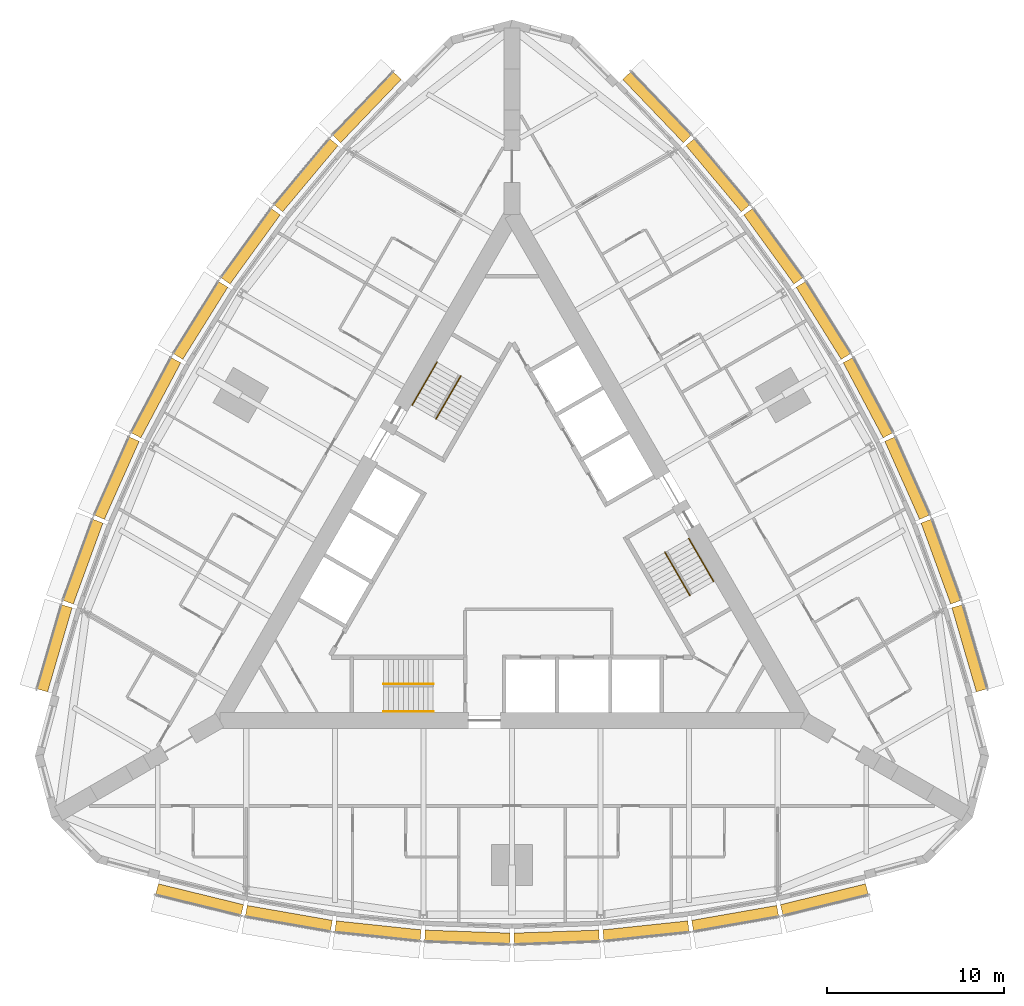
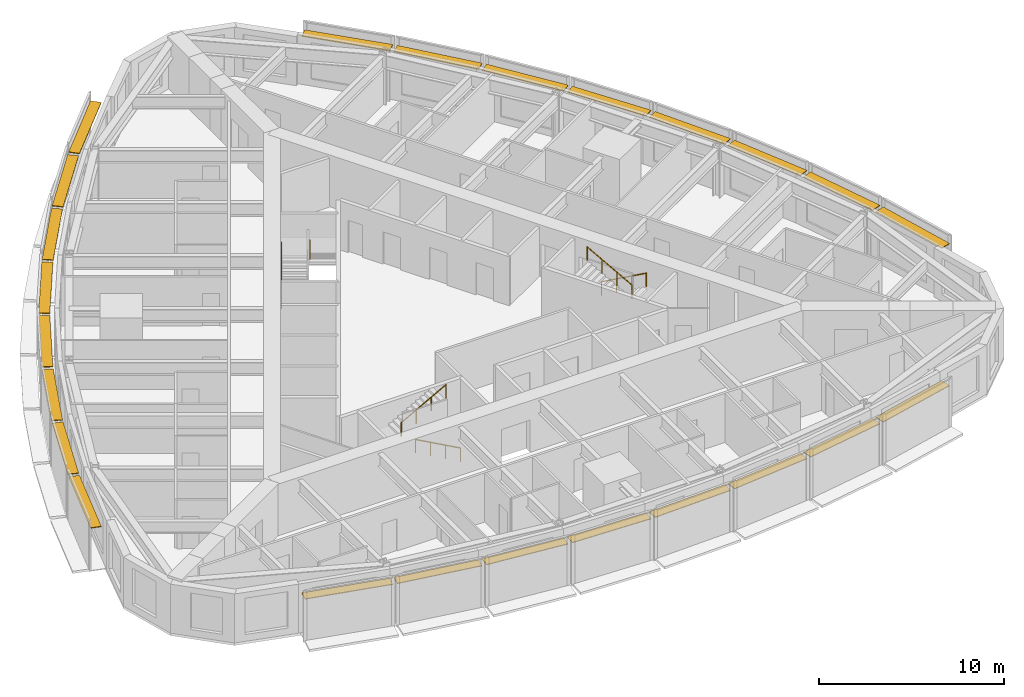
# One storey, part 14 of 14: 24 shading devices, 6 railings.
"""IFC4 building model written with IfcOpenShell, lengths in metres."""

from ifc_helpers import new_model, si_unit, direction, frame, origin, origin_2d, place, context, subcontext, project, spatial, rectangle, circle, extrude, material, type_object, element, save


model = new_model("IFC4")

# Units and contexts
model_context = context("Model", 3, precision=1e-05, world=origin(), true_north=direction((0.0, 1.0)))
body_context = subcontext(model_context, "Body", "Model", "MODEL_VIEW")
ifc_project = project(units=[si_unit("LENGTHUNIT", "METRE"), si_unit("AREAUNIT", "SQUARE_METRE"), si_unit("VOLUMEUNIT", "CUBIC_METRE"), si_unit("PLANEANGLEUNIT", "RADIAN"), si_unit("MASSUNIT", "GRAM", prefix="KILO")], contexts=[model_context])

# Site, building, storey
site_placement = place(None, origin())
site = spatial("IfcSite", under=ifc_project, at=site_placement, CompositionType="ELEMENT")
building_placement = place(site_placement, origin())
building = spatial("IfcBuilding", under=site, at=building_placement, Name="Trikona Tower", CompositionType="ELEMENT")
storey_placement = place(building_placement, frame((0.0, 0.0, 172.5)))
storey = spatial("IfcBuildingStorey", under=building, at=storey_placement, Name="L46", CompositionType="ELEMENT", Elevation=172.5)

# Shading devices
ifc_material_1 = material(Name="Aluminium louvre blade, pale anodised", Category="aluminium")
shading_device_type = type_object("IfcShadingDeviceType", Name="Cavity louvre 600", PredefinedType="USERDEFINED", material=ifc_material_1)
shading_device_1_placement = place(storey_placement, frame((-17.63330078125, -19.631591796875, 2.77490234375), z_axis=(0.0, 0.0, 1.0), x_axis=(0.971274411564, -0.237962218516, 0.0)))
element("IfcShadingDevice", 1, at=shading_device_1_placement, inside=storey, type_object=shading_device_type, Name="Cavity louvre L46-00", ObjectType="LOUVRE", PredefinedType="USERDEFINED", context=body_context, shape_type="SweptSolid", body=[
    extrude(rectangle(XDim=4.947998046875, YDim=0.60009765625, at=origin_2d()), origin(), (0.0, 0.0, 1.0), 0.050048828125),
])
shading_device_2_placement = place(storey_placement, frame((-12.596435546875, -20.689208984375, 2.77490234375), z_axis=(0.0, 0.0, 1.0), x_axis=(0.985030604067, -0.172379549401, 0.0)))
element("IfcShadingDevice", 2, at=shading_device_2_placement, inside=storey, type_object=shading_device_type, Name="Cavity louvre L46-01", ObjectType="LOUVRE", PredefinedType="USERDEFINED", context=body_context, shape_type="SweptSolid", body=[
    extrude(rectangle(XDim=4.8759765625, YDim=0.60009765625, at=origin_2d()), origin(), (0.0, 0.0, 1.0), 0.050048828125),
])
shading_device_3_placement = place(storey_placement, frame((-7.55859375, -21.39453125, 2.77490234375), z_axis=(0.0, 0.0, 1.0), x_axis=(0.994532653854, -0.104426052392, 0.0)))
element("IfcShadingDevice", 3, at=shading_device_3_placement, inside=storey, type_object=shading_device_type, Name="Cavity louvre L46-02", ObjectType="LOUVRE", PredefinedType="USERDEFINED", context=body_context, shape_type="SweptSolid", body=[
    extrude(rectangle(XDim=4.827392578125, YDim=0.60009765625, at=origin_2d()), origin(), (0.0, 0.0, 1.0), 0.050048828125),
])
for number, where, z_axis, x_axis, name in (
    (4, (-2.51953125, -21.747314453125, 2.77490234375), (0.0, 0.0, 1.0), (0.999388082937, -0.034977988567, 0.0), "Cavity louvre L46-03"),
    (5, (2.51953125, -21.747314453125, 2.77490234375), (0.0, 0.0, 1.0), (0.999388082937, 0.034977988567, 0.0), "Cavity louvre L46-04"),
):
    element("IfcShadingDevice", number, at=place(storey_placement, frame(where, z_axis=z_axis, x_axis=x_axis)), inside=storey, type_object=shading_device_type, Name=name, ObjectType="LOUVRE", PredefinedType="USERDEFINED", context=body_context, shape_type="SweptSolid", body=[
        extrude(rectangle(XDim=4.802978515625, YDim=0.60009765625, at=origin_2d()), origin(), (0.0, 0.0, 1.0), 0.050048828125),
    ])
shading_device_4_placement = place(storey_placement, frame((7.55859375, -21.39453125, 2.77490234375), z_axis=(0.0, 0.0, 1.0), x_axis=(0.994532653854, 0.104426052392, 0.0)))
element("IfcShadingDevice", 6, at=shading_device_4_placement, inside=storey, type_object=shading_device_type, Name="Cavity louvre L46-05", ObjectType="LOUVRE", PredefinedType="USERDEFINED", context=body_context, shape_type="SweptSolid", body=[
    extrude(rectangle(XDim=4.827392578125, YDim=0.60009765625, at=origin_2d()), origin(), (0.0, 0.0, 1.0), 0.050048828125),
])
shading_device_5_placement = place(storey_placement, frame((12.596435546875, -20.689208984375, 2.77490234375), z_axis=(0.0, 0.0, 1.0), x_axis=(0.985030604067, 0.172379549401, 0.0)))
element("IfcShadingDevice", 7, at=shading_device_5_placement, inside=storey, type_object=shading_device_type, Name="Cavity louvre L46-06", ObjectType="LOUVRE", PredefinedType="USERDEFINED", context=body_context, shape_type="SweptSolid", body=[
    extrude(rectangle(XDim=4.8759765625, YDim=0.60009765625, at=origin_2d()), origin(), (0.0, 0.0, 1.0), 0.050048828125),
])
shading_device_6_placement = place(storey_placement, frame((17.63330078125, -19.631591796875, 2.77490234375), z_axis=(0.0, 0.0, 1.0), x_axis=(0.971274411564, 0.237962218516, 0.0)))
element("IfcShadingDevice", 8, at=shading_device_6_placement, inside=storey, type_object=shading_device_type, Name="Cavity louvre L46-07", ObjectType="LOUVRE", PredefinedType="USERDEFINED", context=body_context, shape_type="SweptSolid", body=[
    extrude(rectangle(XDim=4.947998046875, YDim=0.60009765625, at=origin_2d()), origin(), (0.0, 0.0, 1.0), 0.050048828125),
])
shading_device_7_placement = place(storey_placement, frame((25.818115234375, -5.455078125, 2.77490234375), z_axis=(0.0, 0.0, 1.0), x_axis=(-0.279554203664, 0.960129911634, 0.0)))
element("IfcShadingDevice", 9, at=shading_device_7_placement, inside=storey, type_object=shading_device_type, Name="Cavity louvre L46-12", ObjectType="LOUVRE", PredefinedType="USERDEFINED", context=body_context, shape_type="SweptSolid", body=[
    extrude(rectangle(XDim=4.94775390625, YDim=0.60009765625, at=origin_2d()), origin(), (0.0, 0.0, 1.0), 0.050048828125),
])
shading_device_8_placement = place(storey_placement, frame((24.2158203125, -0.564208984375, 2.77490234375), z_axis=(0.0, 0.0, 1.0), x_axis=(-0.343220397324, 0.939254895575, 0.0)))
element("IfcShadingDevice", 10, at=shading_device_8_placement, inside=storey, type_object=shading_device_type, Name="Cavity louvre L46-13", ObjectType="LOUVRE", PredefinedType="USERDEFINED", context=body_context, shape_type="SweptSolid", body=[
    extrude(rectangle(XDim=4.8759765625, YDim=0.60009765625, at=origin_2d()), origin(), (0.0, 0.0, 1.0), 0.050048828125),
])
shading_device_9_placement = place(storey_placement, frame((22.3076171875, 4.151611328125, 2.77490234375), z_axis=(0.0, 0.0, 1.0), x_axis=(-0.406843467615, 0.913497888809, 0.0)))
element("IfcShadingDevice", 11, at=shading_device_9_placement, inside=storey, type_object=shading_device_type, Name="Cavity louvre L46-14", ObjectType="LOUVRE", PredefinedType="USERDEFINED", context=body_context, shape_type="SweptSolid", body=[
    extrude(rectangle(XDim=4.827392578125, YDim=0.60009765625, at=origin_2d()), origin(), (0.0, 0.0, 1.0), 0.050048828125),
])
for number, where, z_axis, x_axis, name in (
    (12, (20.093505859375, 8.691650390625, 2.77490234375), (0.0, 0.0, 1.0), (-0.469397591494, 0.882986920118, 0.0), "Cavity louvre L46-15"),
    (13, (17.573974609375, 13.0556640625, 2.77490234375), (0.0, 0.0, 1.0), (-0.529994748414, 0.848000923734, 0.0), "Cavity louvre L46-16"),
):
    element("IfcShadingDevice", number, at=place(storey_placement, frame(where, z_axis=z_axis, x_axis=x_axis)), inside=storey, type_object=shading_device_type, Name=name, ObjectType="LOUVRE", PredefinedType="USERDEFINED", context=body_context, shape_type="SweptSolid", body=[
        extrude(rectangle(XDim=4.802978515625, YDim=0.60009765625, at=origin_2d()), origin(), (0.0, 0.0, 1.0), 0.050048828125),
    ])
shading_device_10_placement = place(storey_placement, frame((14.7490234375, 17.2431640625, 2.77490234375), z_axis=(0.0, 0.0, 1.0), x_axis=(-0.587686407834, 0.809088799853, 0.0)))
element("IfcShadingDevice", 14, at=shading_device_10_placement, inside=storey, type_object=shading_device_type, Name="Cavity louvre L46-17", ObjectType="LOUVRE", PredefinedType="USERDEFINED", context=body_context, shape_type="SweptSolid", body=[
    extrude(rectangle(XDim=4.827392578125, YDim=0.60009765625, at=origin_2d()), origin(), (0.0, 0.0, 1.0), 0.050048828125),
])
shading_device_11_placement = place(storey_placement, frame((11.619140625, 21.253662109375, 2.77490234375), z_axis=(0.0, 0.0, 1.0), x_axis=(-0.641807063101, 0.766866151133, 0.0)))
element("IfcShadingDevice", 15, at=shading_device_11_placement, inside=storey, type_object=shading_device_type, Name="Cavity louvre L46-18", ObjectType="LOUVRE", PredefinedType="USERDEFINED", context=body_context, shape_type="SweptSolid", body=[
    extrude(rectangle(XDim=4.8759765625, YDim=0.60009765625, at=origin_2d()), origin(), (0.0, 0.0, 1.0), 0.050048828125),
])
for number, where, z_axis, x_axis, name in (
    (16, (8.184814453125, 25.086669921875, 2.77490234375), (0.0, 0.0, 1.0), (-0.691723573819, 0.722162376078, 0.0), "Cavity louvre L46-19"),
    (17, (-8.184814453125, 25.086669921875, 2.77490234375), (0.0, 0.0, 1.0), (-0.691723573819, -0.722162376078, 0.0), "Cavity louvre L46-24"),
):
    element("IfcShadingDevice", number, at=place(storey_placement, frame(where, z_axis=z_axis, x_axis=x_axis)), inside=storey, type_object=shading_device_type, Name=name, ObjectType="LOUVRE", PredefinedType="USERDEFINED", context=body_context, shape_type="SweptSolid", body=[
        extrude(rectangle(XDim=4.947998046875, YDim=0.60009765625, at=origin_2d()), origin(), (0.0, 0.0, 1.0), 0.050048828125),
    ])
shading_device_12_placement = place(storey_placement, frame((-11.619140625, 21.253662109375, 2.77490234375), z_axis=(0.0, 0.0, 1.0), x_axis=(-0.641807063101, -0.766866151133, 0.0)))
element("IfcShadingDevice", 18, at=shading_device_12_placement, inside=storey, type_object=shading_device_type, Name="Cavity louvre L46-25", ObjectType="LOUVRE", PredefinedType="USERDEFINED", context=body_context, shape_type="SweptSolid", body=[
    extrude(rectangle(XDim=4.8759765625, YDim=0.60009765625, at=origin_2d()), origin(), (0.0, 0.0, 1.0), 0.050048828125),
])
shading_device_13_placement = place(storey_placement, frame((-14.7490234375, 17.2431640625, 2.77490234375), z_axis=(0.0, 0.0, 1.0), x_axis=(-0.587686407834, -0.809088799853, 0.0)))
element("IfcShadingDevice", 19, at=shading_device_13_placement, inside=storey, type_object=shading_device_type, Name="Cavity louvre L46-26", ObjectType="LOUVRE", PredefinedType="USERDEFINED", context=body_context, shape_type="SweptSolid", body=[
    extrude(rectangle(XDim=4.827392578125, YDim=0.60009765625, at=origin_2d()), origin(), (0.0, 0.0, 1.0), 0.050048828125),
])
for number, where, z_axis, x_axis, name in (
    (20, (-17.573974609375, 13.0556640625, 2.77490234375), (0.0, 0.0, 1.0), (-0.529994748414, -0.848000923734, 0.0), "Cavity louvre L46-27"),
    (21, (-20.093505859375, 8.691650390625, 2.77490234375), (0.0, 0.0, 1.0), (-0.469397591494, -0.882986920118, 0.0), "Cavity louvre L46-28"),
):
    element("IfcShadingDevice", number, at=place(storey_placement, frame(where, z_axis=z_axis, x_axis=x_axis)), inside=storey, type_object=shading_device_type, Name=name, ObjectType="LOUVRE", PredefinedType="USERDEFINED", context=body_context, shape_type="SweptSolid", body=[
        extrude(rectangle(XDim=4.802978515625, YDim=0.60009765625, at=origin_2d()), origin(), (0.0, 0.0, 1.0), 0.050048828125),
    ])
shading_device_14_placement = place(storey_placement, frame((-22.3076171875, 4.151611328125, 2.77490234375), z_axis=(0.0, 0.0, 1.0), x_axis=(-0.406843467615, -0.913497888809, 0.0)))
element("IfcShadingDevice", 22, at=shading_device_14_placement, inside=storey, type_object=shading_device_type, Name="Cavity louvre L46-29", ObjectType="LOUVRE", PredefinedType="USERDEFINED", context=body_context, shape_type="SweptSolid", body=[
    extrude(rectangle(XDim=4.827392578125, YDim=0.60009765625, at=origin_2d()), origin(), (0.0, 0.0, 1.0), 0.050048828125),
])
shading_device_15_placement = place(storey_placement, frame((-24.2158203125, -0.564208984375, 2.77490234375), z_axis=(0.0, 0.0, 1.0), x_axis=(-0.343220397324, -0.939254895575, 0.0)))
element("IfcShadingDevice", 23, at=shading_device_15_placement, inside=storey, type_object=shading_device_type, Name="Cavity louvre L46-30", ObjectType="LOUVRE", PredefinedType="USERDEFINED", context=body_context, shape_type="SweptSolid", body=[
    extrude(rectangle(XDim=4.8759765625, YDim=0.60009765625, at=origin_2d()), origin(), (0.0, 0.0, 1.0), 0.050048828125),
])
shading_device_16_placement = place(storey_placement, frame((-25.818115234375, -5.455078125, 2.77490234375), z_axis=(0.0, 0.0, 1.0), x_axis=(-0.279554203664, -0.960129911634, 0.0)))
element("IfcShadingDevice", 24, at=shading_device_16_placement, inside=storey, type_object=shading_device_type, Name="Cavity louvre L46-31", ObjectType="LOUVRE", PredefinedType="USERDEFINED", context=body_context, shape_type="SweptSolid", body=[
    extrude(rectangle(XDim=4.94775390625, YDim=0.60009765625, at=origin_2d()), origin(), (0.0, 0.0, 1.0), 0.050048828125),
])

# Railings
ifc_material_2 = material(Name="Stainless steel handrail", Category="steel")
railing_type = type_object("IfcRailingType", Name="Stair handrail", PredefinedType="HANDRAIL", material=ifc_material_2)
railing_1_placement = place(storey_placement, frame((-4.449951171875, -9.016357421875, 0.154541015625)))
element("IfcRailing", 25, at=railing_1_placement, inside=storey, type_object=railing_type, Name="Stair handrail A L46 1", PredefinedType="HANDRAIL", context=body_context, shape_type="SweptSolid", body=[
    extrude(circle(Radius=0.02392578125, at=origin_2d()), frame((0.0, 0.0, 0.8759765625), z_axis=(-0.875504190374, 0.0, 0.483210526207), x_axis=(0.0, -1.0, 0.0)), (0.0, 0.0, 1.0), 3.1982421875),
    extrude(circle(Radius=0.02099609375, at=origin_2d()), origin(), (0.0, 0.0, 1.0), 0.851806640625),
    extrude(circle(Radius=0.02099609375, at=origin_2d()), frame((-0.933349609375, 0.0, 0.51513671875)), (0.0, 0.0, 1.0), 0.851806640625),
    extrude(circle(Radius=0.02099609375, at=origin_2d()), frame((-1.86669921875, 0.0, 1.0302734375)), (0.0, 0.0, 1.0), 0.851806640625),
    extrude(circle(Radius=0.02099609375, at=origin_2d()), frame((-2.800048828125, 0.0, 1.54541015625)), (0.0, 0.0, 1.0), 0.851806640625),
])
railing_2_placement = place(storey_placement, frame((-7.25, -7.46630859375, 1.8544921875)))
element("IfcRailing", 26, at=railing_2_placement, inside=storey, type_object=railing_type, Name="Stair handrail A L46 2", PredefinedType="HANDRAIL", context=body_context, shape_type="SweptSolid", body=[
    extrude(circle(Radius=0.02392578125, at=origin_2d()), frame((0.0, 0.0, 0.8759765625), z_axis=(0.875504190374, 0.0, 0.483210526207), x_axis=(0.0, 1.0, 0.0)), (0.0, 0.0, 1.0), 3.1982421875),
    extrude(circle(Radius=0.02099609375, at=origin_2d()), origin(), (0.0, 0.0, 1.0), 0.851806640625),
    extrude(circle(Radius=0.02099609375, at=origin_2d()), frame((0.933349609375, 0.0, 0.51513671875)), (0.0, 0.0, 1.0), 0.851806640625),
    extrude(circle(Radius=0.02099609375, at=origin_2d()), frame((1.86669921875, 0.0, 1.0302734375)), (0.0, 0.0, 1.0), 0.851806640625),
    extrude(circle(Radius=0.02099609375, at=origin_2d()), frame((2.800048828125, 0.0, 1.54541015625)), (0.0, 0.0, 1.0), 0.851806640625),
])
railing_3_placement = place(storey_placement, frame((9.9833984375, 0.740966796875, 0.154541015625)))
element("IfcRailing", 27, at=railing_3_placement, inside=storey, type_object=railing_type, Name="Stair handrail B L46 1", PredefinedType="HANDRAIL", context=body_context, shape_type="SweptSolid", body=[
    extrude(circle(Radius=0.02392578125, at=origin_2d()), frame((0.0, 0.0, 0.8759765625), z_axis=(0.437707188162, -0.758239536103, 0.483203087036), x_axis=(0.866056369097, 0.49994636267, 0.0)), (0.0, 0.0, 1.0), 3.1982421875),
    extrude(circle(Radius=0.02099609375, at=origin_2d()), origin(), (0.0, 0.0, 1.0), 0.851806640625),
    extrude(circle(Radius=0.02099609375, at=origin_2d()), frame((0.466552734375, -0.808349609375, 0.51513671875)), (0.0, 0.0, 1.0), 0.851806640625),
    extrude(circle(Radius=0.02099609375, at=origin_2d()), frame((0.933349609375, -1.61669921875, 1.0302734375)), (0.0, 0.0, 1.0), 0.851806640625),
    extrude(circle(Radius=0.02099609375, at=origin_2d()), frame((1.39990234375, -2.425048828125, 1.54541015625)), (0.0, 0.0, 1.0), 0.851806640625),
])
railing_4_placement = place(storey_placement, frame((10.041015625, -2.458984375, 1.8544921875)))
element("IfcRailing", 28, at=railing_4_placement, inside=storey, type_object=railing_type, Name="Stair handrail B L46 2", PredefinedType="HANDRAIL", context=body_context, shape_type="SweptSolid", body=[
    extrude(circle(Radius=0.02392578125, at=origin_2d()), frame((0.0, 0.0, 0.8759765625), z_axis=(-0.437707188162, 0.758239536103, 0.483203087036), x_axis=(-0.866056369097, -0.49994636267, 0.0)), (0.0, 0.0, 1.0), 3.1982421875),
    extrude(circle(Radius=0.02099609375, at=origin_2d()), origin(), (0.0, 0.0, 1.0), 0.851806640625),
    extrude(circle(Radius=0.02099609375, at=origin_2d()), frame((-0.466552734375, 0.808349609375, 0.51513671875)), (0.0, 0.0, 1.0), 0.851806640625),
    extrude(circle(Radius=0.02099609375, at=origin_2d()), frame((-0.933349609375, 1.61669921875, 1.0302734375)), (0.0, 0.0, 1.0), 0.851806640625),
    extrude(circle(Radius=0.02099609375, at=origin_2d()), frame((-1.39990234375, 2.425048828125, 1.54541015625)), (0.0, 0.0, 1.0), 0.851806640625),
])
railing_5_placement = place(storey_placement, frame((-5.63330078125, 8.275390625, 0.154541015625)))
element("IfcRailing", 29, at=railing_5_placement, inside=storey, type_object=railing_type, Name="Stair handrail C L46 1", PredefinedType="HANDRAIL", context=body_context, shape_type="SweptSolid", body=[
    extrude(circle(Radius=0.02392578125, at=origin_2d()), frame((0.0, 0.0, 0.8759765625), z_axis=(0.437732523806, 0.758207085183, 0.483231056102), x_axis=(-0.866034573852, 0.49998411664, 0.0)), (0.0, 0.0, 1.0), 3.197998046875),
    extrude(circle(Radius=0.02099609375, at=origin_2d()), origin(), (0.0, 0.0, 1.0), 0.851806640625),
    extrude(circle(Radius=0.02099609375, at=origin_2d()), frame((0.466552734375, 0.808349609375, 0.51513671875)), (0.0, 0.0, 1.0), 0.851806640625),
    extrude(circle(Radius=0.02099609375, at=origin_2d()), frame((0.933349609375, 1.616455078125, 1.0302734375)), (0.0, 0.0, 1.0), 0.851806640625),
    extrude(circle(Radius=0.02099609375, at=origin_2d()), frame((1.39990234375, 2.4248046875, 1.54541015625)), (0.0, 0.0, 1.0), 0.851806640625),
])
railing_6_placement = place(storey_placement, frame((-2.89111328125, 9.92529296875, 1.8544921875)))
element("IfcRailing", 30, at=railing_6_placement, inside=storey, type_object=railing_type, Name="Stair handrail C L46 2", PredefinedType="HANDRAIL", context=body_context, shape_type="SweptSolid", body=[
    extrude(circle(Radius=0.02392578125, at=origin_2d()), frame((0.0, 0.0, 0.8759765625), z_axis=(-0.437707188162, -0.758239536103, 0.483203087036), x_axis=(0.866056369097, -0.49994636267, 0.0)), (0.0, 0.0, 1.0), 3.1982421875),
    extrude(circle(Radius=0.02099609375, at=origin_2d()), origin(), (0.0, 0.0, 1.0), 0.851806640625),
    extrude(circle(Radius=0.02099609375, at=origin_2d()), frame((-0.466552734375, -0.808349609375, 0.51513671875)), (0.0, 0.0, 1.0), 0.851806640625),
    extrude(circle(Radius=0.02099609375, at=origin_2d()), frame((-0.933349609375, -1.61669921875, 1.0302734375)), (0.0, 0.0, 1.0), 0.851806640625),
    extrude(circle(Radius=0.02099609375, at=origin_2d()), frame((-1.39990234375, -2.425048828125, 1.54541015625)), (0.0, 0.0, 1.0), 0.851806640625),
])

save(model, "model.ifc")
